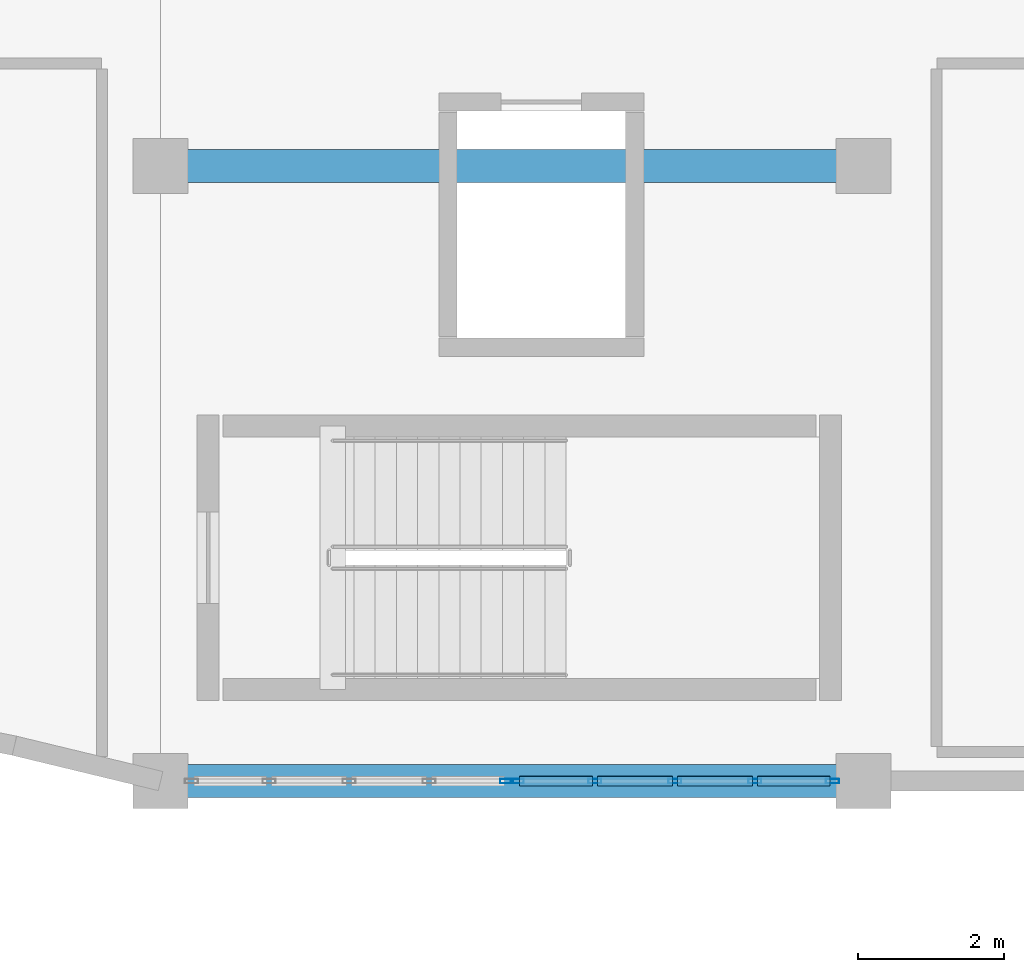
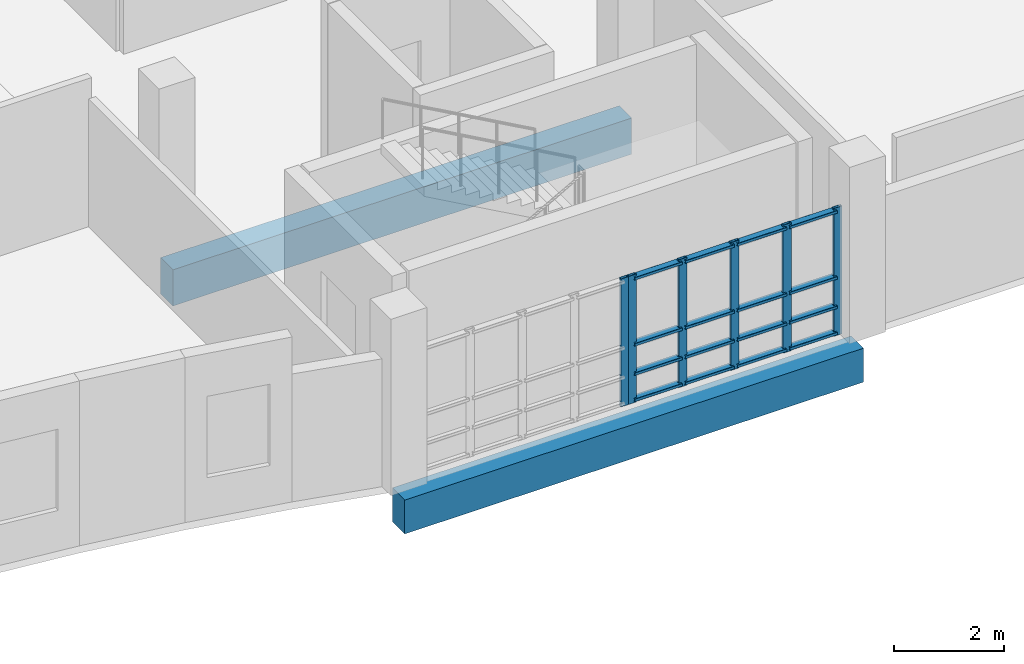
# One storey, part 120 of 188: 22 members, 2 beams, 2 elements without a shape of their own.
"""IFC4 building model written with IfcOpenShell, lengths in metres."""

from ifc_helpers import new_model, si_unit, direction, frame, origin, origin_2d, place, context, subcontext, project, spatial, rectangle, hollow_rectangle, extrude, material, layer, layer_set, material_profile, profile_set, type_object, element, aggregate, save


model = new_model("IFC4")

# Units and contexts
model_context = context("Model", 3, precision=1e-05, world=origin(), true_north=direction((0.0, 1.0)))
body_context = subcontext(model_context, "Body", "Model", "MODEL_VIEW")
ifc_project = project(units=[si_unit("LENGTHUNIT", "METRE"), si_unit("AREAUNIT", "SQUARE_METRE"), si_unit("VOLUMEUNIT", "CUBIC_METRE"), si_unit("PLANEANGLEUNIT", "RADIAN"), si_unit("MASSUNIT", "GRAM", prefix="KILO")], contexts=[model_context])

# Site, building, storey
site_placement = place(None, origin())
site = spatial("IfcSite", under=ifc_project, at=site_placement, CompositionType="ELEMENT")
building_placement = place(site_placement, origin())
building = spatial("IfcBuilding", under=site, at=building_placement, Name="Kisaragi Civic Commons", CompositionType="ELEMENT")
storey_placement = place(building_placement, frame((0.0, 0.0, 9.60009765625)))
storey = spatial("IfcBuildingStorey", under=building, at=storey_placement, Name="L02", CompositionType="ELEMENT", Elevation=9.60009765625)

# Curtain wall, members
ifc_material_1 = material(Name="Thermally broken anodized aluminium and low-E double glazing", Category="aluminium")
ifc_layer = layer(ifc_material_1, 0.179931640625, Name="Thermally broken anodized aluminium and low-E double glazing", Category="aluminium")
ifc_layer_set = layer_set([ifc_layer], Name="Thermally broken anodized aluminium and low-E double glazing")
curtain_wall_type = type_object("IfcCurtainWallType", Name="CW-01", PredefinedType="NOTDEFINED", material=ifc_layer_set)
curtain_wall_1_placement = place(storey_placement, origin())
curtain_wall_1 = element("IfcCurtainWall", 1, at=curtain_wall_1_placement, inside=storey, type_object=curtain_wall_type, Name="L02 curtain wall CW-01 CW-V4-L02-093", PredefinedType="NOTDEFINED")
ifc_material_profile_1 = material_profile(ifc_material_1, hollow_rectangle(XDim=0.06494140625, YDim=0.179931640625, WallThickness=0.00439453125, InnerFilletRadius=0.00439453125, OuterFilletRadius=0.009033203125, at=origin_2d()), Name="CWM-65x180x4.5", Category="aluminium")
ifc_profile_set_1 = profile_set([ifc_material_profile_1], Name="Thermally broken anodized aluminium and low-E double glazing")
member_type_1 = type_object("IfcMemberType", Name="CWM-02", PredefinedType="MULLION", material=ifc_profile_set_1)
member_1_placement = place(storey_placement, frame((132.777587890625, 96.0, 0.0), z_axis=(0.0, 0.0, 1.0), x_axis=(0.0, -1.0, 0.0)))
member_1 = element("IfcMember", 2, at=member_1_placement, type_object=member_type_1, Name="CW-01 mullion 1", PredefinedType="MULLION", context=body_context, shape_type="SweptSolid", body=[
    extrude(hollow_rectangle(XDim=0.06494140625, YDim=0.179931640625, WallThickness=0.00439453125, InnerFilletRadius=0.00439453125, OuterFilletRadius=0.009033203125, at=origin_2d()), origin(), (0.0, 0.0, 1.0), 2.829833984375),
])
member_2_placement = place(storey_placement, frame((131.717529296875, 96.0, 0.0), z_axis=(0.0, 0.0, 1.0), x_axis=(0.0, -1.0, 0.0)))
member_2 = element("IfcMember", 3, at=member_2_placement, type_object=member_type_1, Name="CW-01 mullion 2", PredefinedType="MULLION", context=body_context, shape_type="SweptSolid", body=[
    extrude(hollow_rectangle(XDim=0.06494140625, YDim=0.179931640625, WallThickness=0.00439453125, InnerFilletRadius=0.00439453125, OuterFilletRadius=0.009033203125, at=origin_2d()), origin(), (0.0, 0.0, 1.0), 2.829833984375),
])
member_3_placement = place(storey_placement, frame((130.625, 96.0, 0.0), z_axis=(0.0, 0.0, 1.0), x_axis=(0.0, -1.0, 0.0)))
member_3 = element("IfcMember", 4, at=member_3_placement, type_object=member_type_1, Name="CW-01 mullion 3", PredefinedType="MULLION", context=body_context, shape_type="SweptSolid", body=[
    extrude(hollow_rectangle(XDim=0.06494140625, YDim=0.179931640625, WallThickness=0.00439453125, InnerFilletRadius=0.00439453125, OuterFilletRadius=0.009033203125, at=origin_2d()), origin(), (0.0, 0.0, 1.0), 2.829833984375),
])
member_4_placement = place(storey_placement, frame((129.532470703125, 96.0, 0.0), z_axis=(0.0, 0.0, 1.0), x_axis=(0.0, -1.0, 0.0)))
member_4 = element("IfcMember", 5, at=member_4_placement, type_object=member_type_1, Name="CW-01 mullion 4", PredefinedType="MULLION", context=body_context, shape_type="SweptSolid", body=[
    extrude(hollow_rectangle(XDim=0.06494140625, YDim=0.179931640625, WallThickness=0.00439453125, InnerFilletRadius=0.00439453125, OuterFilletRadius=0.009033203125, at=origin_2d()), origin(), (0.0, 0.0, 1.0), 2.829833984375),
])
member_5_placement = place(storey_placement, frame((128.472412109375, 96.0, 0.0), z_axis=(0.0, 0.0, 1.0), x_axis=(0.0, -1.0, 0.0)))
member_5 = element("IfcMember", 6, at=member_5_placement, type_object=member_type_1, Name="CW-01 mullion 5", PredefinedType="MULLION", context=body_context, shape_type="SweptSolid", body=[
    extrude(hollow_rectangle(XDim=0.06494140625, YDim=0.179931640625, WallThickness=0.00439453125, InnerFilletRadius=0.00439453125, OuterFilletRadius=0.009033203125, at=origin_2d()), origin(), (0.0, 0.0, 1.0), 2.829833984375),
])

# Curtain wall, member
curtain_wall_2_placement = place(storey_placement, origin())
curtain_wall_2 = element("IfcCurtainWall", 7, at=curtain_wall_2_placement, inside=storey, type_object=curtain_wall_type, Name="L02 curtain wall CW-01 CW-V4-L02-094", PredefinedType="NOTDEFINED")
member_6_placement = place(storey_placement, frame((128.327392578125, 96.0, 0.0), z_axis=(0.0, 0.0, 1.0), x_axis=(0.0, -1.0, 0.0)))
member_6 = element("IfcMember", 8, at=member_6_placement, type_object=member_type_1, Name="CW-01 mullion 1", PredefinedType="MULLION", context=body_context, shape_type="SweptSolid", body=[
    extrude(hollow_rectangle(XDim=0.06494140625, YDim=0.179931640625, WallThickness=0.00439453125, InnerFilletRadius=0.00439453125, OuterFilletRadius=0.009033203125, at=origin_2d()), origin(), (0.0, 0.0, 1.0), 2.829833984375),
])
aggregate(curtain_wall_2, [member_6])

# Member
ifc_material_profile_2 = material_profile(ifc_material_1, hollow_rectangle(XDim=0.139892578125, YDim=0.06494140625, WallThickness=0.00439453125, InnerFilletRadius=0.00439453125, OuterFilletRadius=0.009033203125, at=origin_2d()), Name="CWT-65x140x4.5", Category="aluminium")
ifc_profile_set_2 = profile_set([ifc_material_profile_2], Name="Thermally broken anodized aluminium and low-E double glazing")
member_type_2 = type_object("IfcMemberType", Name="CWT-02", PredefinedType="USERDEFINED", material=ifc_profile_set_2)
member_7_placement = place(storey_placement, frame((132.7451171875, 96.0, 0.06982421875), z_axis=(-1.0, 0.0, 0.0), x_axis=(0.0, -1.0, 0.0)))
member_7 = element("IfcMember", 9, at=member_7_placement, type_object=member_type_2, Name="CW-01 transom 1.1", ObjectType="TRANSOM", PredefinedType="USERDEFINED", context=body_context, shape_type="SweptSolid", body=[
    extrude(hollow_rectangle(XDim=0.139892578125, YDim=0.06494140625, WallThickness=0.00439453125, InnerFilletRadius=0.00439453125, OuterFilletRadius=0.009033203125, at=origin_2d()), origin(), (0.0, 0.0, 1.0), 0.9951171875),
])

member_8_placement = place(storey_placement, frame((132.7451171875, 96.0, 0.64990234375), z_axis=(-1.0, 0.0, 0.0), x_axis=(0.0, -1.0, 0.0)))
member_8 = element("IfcMember", 10, at=member_8_placement, type_object=member_type_2, Name="CW-01 transom 1.2", ObjectType="TRANSOM", PredefinedType="USERDEFINED", context=body_context, shape_type="SweptSolid", body=[
    extrude(hollow_rectangle(XDim=0.139892578125, YDim=0.06494140625, WallThickness=0.00439453125, InnerFilletRadius=0.00439453125, OuterFilletRadius=0.009033203125, at=origin_2d()), origin(), (0.0, 0.0, 1.0), 0.9951171875),
])

member_9_placement = place(storey_placement, frame((132.7451171875, 96.0, 1.2998046875), z_axis=(-1.0, 0.0, 0.0), x_axis=(0.0, -1.0, 0.0)))
member_9 = element("IfcMember", 11, at=member_9_placement, type_object=member_type_2, Name="CW-01 transom 1.3", ObjectType="TRANSOM", PredefinedType="USERDEFINED", context=body_context, shape_type="SweptSolid", body=[
    extrude(hollow_rectangle(XDim=0.139892578125, YDim=0.06494140625, WallThickness=0.00439453125, InnerFilletRadius=0.00439453125, OuterFilletRadius=0.009033203125, at=origin_2d()), origin(), (0.0, 0.0, 1.0), 0.9951171875),
])

member_10_placement = place(storey_placement, frame((132.7451171875, 96.0, 2.760009765625), z_axis=(-1.0, 0.0, 0.0), x_axis=(0.0, -1.0, 0.0)))
member_10 = element("IfcMember", 12, at=member_10_placement, type_object=member_type_2, Name="CW-01 transom 1.4", ObjectType="TRANSOM", PredefinedType="USERDEFINED", context=body_context, shape_type="SweptSolid", body=[
    extrude(hollow_rectangle(XDim=0.139892578125, YDim=0.06494140625, WallThickness=0.00439453125, InnerFilletRadius=0.00439453125, OuterFilletRadius=0.009033203125, at=origin_2d()), origin(), (0.0, 0.0, 1.0), 0.9951171875),
])

member_11_placement = place(storey_placement, frame((131.68505859375, 96.0, 0.06982421875), z_axis=(-1.0, 0.0, 0.0), x_axis=(0.0, -1.0, 0.0)))
member_11 = element("IfcMember", 13, at=member_11_placement, type_object=member_type_2, Name="CW-01 transom 2.1", ObjectType="TRANSOM", PredefinedType="USERDEFINED", context=body_context, shape_type="SweptSolid", body=[
    extrude(hollow_rectangle(XDim=0.139892578125, YDim=0.06494140625, WallThickness=0.00439453125, InnerFilletRadius=0.00439453125, OuterFilletRadius=0.009033203125, at=origin_2d()), origin(), (0.0, 0.0, 1.0), 1.027587890625),
])

member_12_placement = place(storey_placement, frame((131.68505859375, 96.0, 0.64990234375), z_axis=(-1.0, 0.0, 0.0), x_axis=(0.0, -1.0, 0.0)))
member_12 = element("IfcMember", 14, at=member_12_placement, type_object=member_type_2, Name="CW-01 transom 2.2", ObjectType="TRANSOM", PredefinedType="USERDEFINED", context=body_context, shape_type="SweptSolid", body=[
    extrude(hollow_rectangle(XDim=0.139892578125, YDim=0.06494140625, WallThickness=0.00439453125, InnerFilletRadius=0.00439453125, OuterFilletRadius=0.009033203125, at=origin_2d()), origin(), (0.0, 0.0, 1.0), 1.027587890625),
])

member_13_placement = place(storey_placement, frame((131.68505859375, 96.0, 1.2998046875), z_axis=(-1.0, 0.0, 0.0), x_axis=(0.0, -1.0, 0.0)))
member_13 = element("IfcMember", 15, at=member_13_placement, type_object=member_type_2, Name="CW-01 transom 2.3", ObjectType="TRANSOM", PredefinedType="USERDEFINED", context=body_context, shape_type="SweptSolid", body=[
    extrude(hollow_rectangle(XDim=0.139892578125, YDim=0.06494140625, WallThickness=0.00439453125, InnerFilletRadius=0.00439453125, OuterFilletRadius=0.009033203125, at=origin_2d()), origin(), (0.0, 0.0, 1.0), 1.027587890625),
])

member_14_placement = place(storey_placement, frame((131.68505859375, 96.0, 2.760009765625), z_axis=(-1.0, 0.0, 0.0), x_axis=(0.0, -1.0, 0.0)))
member_14 = element("IfcMember", 16, at=member_14_placement, type_object=member_type_2, Name="CW-01 transom 2.4", ObjectType="TRANSOM", PredefinedType="USERDEFINED", context=body_context, shape_type="SweptSolid", body=[
    extrude(hollow_rectangle(XDim=0.139892578125, YDim=0.06494140625, WallThickness=0.00439453125, InnerFilletRadius=0.00439453125, OuterFilletRadius=0.009033203125, at=origin_2d()), origin(), (0.0, 0.0, 1.0), 1.027587890625),
])

member_15_placement = place(storey_placement, frame((130.592529296875, 96.0, 0.06982421875), z_axis=(-1.0, 0.0, 0.0), x_axis=(0.0, -1.0, 0.0)))
member_15 = element("IfcMember", 17, at=member_15_placement, type_object=member_type_2, Name="CW-01 transom 3.1", ObjectType="TRANSOM", PredefinedType="USERDEFINED", context=body_context, shape_type="SweptSolid", body=[
    extrude(hollow_rectangle(XDim=0.139892578125, YDim=0.06494140625, WallThickness=0.00439453125, InnerFilletRadius=0.00439453125, OuterFilletRadius=0.009033203125, at=origin_2d()), origin(), (0.0, 0.0, 1.0), 1.027587890625),
])

member_16_placement = place(storey_placement, frame((130.592529296875, 96.0, 0.64990234375), z_axis=(-1.0, 0.0, 0.0), x_axis=(0.0, -1.0, 0.0)))
member_16 = element("IfcMember", 18, at=member_16_placement, type_object=member_type_2, Name="CW-01 transom 3.2", ObjectType="TRANSOM", PredefinedType="USERDEFINED", context=body_context, shape_type="SweptSolid", body=[
    extrude(hollow_rectangle(XDim=0.139892578125, YDim=0.06494140625, WallThickness=0.00439453125, InnerFilletRadius=0.00439453125, OuterFilletRadius=0.009033203125, at=origin_2d()), origin(), (0.0, 0.0, 1.0), 1.027587890625),
])

member_17_placement = place(storey_placement, frame((130.592529296875, 96.0, 1.2998046875), z_axis=(-1.0, 0.0, 0.0), x_axis=(0.0, -1.0, 0.0)))
member_17 = element("IfcMember", 19, at=member_17_placement, type_object=member_type_2, Name="CW-01 transom 3.3", ObjectType="TRANSOM", PredefinedType="USERDEFINED", context=body_context, shape_type="SweptSolid", body=[
    extrude(hollow_rectangle(XDim=0.139892578125, YDim=0.06494140625, WallThickness=0.00439453125, InnerFilletRadius=0.00439453125, OuterFilletRadius=0.009033203125, at=origin_2d()), origin(), (0.0, 0.0, 1.0), 1.027587890625),
])

member_18_placement = place(storey_placement, frame((130.592529296875, 96.0, 2.760009765625), z_axis=(-1.0, 0.0, 0.0), x_axis=(0.0, -1.0, 0.0)))
member_18 = element("IfcMember", 20, at=member_18_placement, type_object=member_type_2, Name="CW-01 transom 3.4", ObjectType="TRANSOM", PredefinedType="USERDEFINED", context=body_context, shape_type="SweptSolid", body=[
    extrude(hollow_rectangle(XDim=0.139892578125, YDim=0.06494140625, WallThickness=0.00439453125, InnerFilletRadius=0.00439453125, OuterFilletRadius=0.009033203125, at=origin_2d()), origin(), (0.0, 0.0, 1.0), 1.027587890625),
])

member_19_placement = place(storey_placement, frame((129.5, 96.0, 0.06982421875), z_axis=(-1.0, 0.0, 0.0), x_axis=(0.0, -1.0, 0.0)))
member_19 = element("IfcMember", 21, at=member_19_placement, type_object=member_type_2, Name="CW-01 transom 4.1", ObjectType="TRANSOM", PredefinedType="USERDEFINED", context=body_context, shape_type="SweptSolid", body=[
    extrude(hollow_rectangle(XDim=0.139892578125, YDim=0.06494140625, WallThickness=0.00439453125, InnerFilletRadius=0.00439453125, OuterFilletRadius=0.009033203125, at=origin_2d()), origin(), (0.0, 0.0, 1.0), 0.9951171875),
])

member_20_placement = place(storey_placement, frame((129.5, 96.0, 0.64990234375), z_axis=(-1.0, 0.0, 0.0), x_axis=(0.0, -1.0, 0.0)))
member_20 = element("IfcMember", 22, at=member_20_placement, type_object=member_type_2, Name="CW-01 transom 4.2", ObjectType="TRANSOM", PredefinedType="USERDEFINED", context=body_context, shape_type="SweptSolid", body=[
    extrude(hollow_rectangle(XDim=0.139892578125, YDim=0.06494140625, WallThickness=0.00439453125, InnerFilletRadius=0.00439453125, OuterFilletRadius=0.009033203125, at=origin_2d()), origin(), (0.0, 0.0, 1.0), 0.9951171875),
])

member_21_placement = place(storey_placement, frame((129.5, 96.0, 1.2998046875), z_axis=(-1.0, 0.0, 0.0), x_axis=(0.0, -1.0, 0.0)))
member_21 = element("IfcMember", 23, at=member_21_placement, type_object=member_type_2, Name="CW-01 transom 4.3", ObjectType="TRANSOM", PredefinedType="USERDEFINED", context=body_context, shape_type="SweptSolid", body=[
    extrude(hollow_rectangle(XDim=0.139892578125, YDim=0.06494140625, WallThickness=0.00439453125, InnerFilletRadius=0.00439453125, OuterFilletRadius=0.009033203125, at=origin_2d()), origin(), (0.0, 0.0, 1.0), 0.9951171875),
])

member_22_placement = place(storey_placement, frame((129.5, 96.0, 2.760009765625), z_axis=(-1.0, 0.0, 0.0), x_axis=(0.0, -1.0, 0.0)))
member_22 = element("IfcMember", 24, at=member_22_placement, type_object=member_type_2, Name="CW-01 transom 4.4", ObjectType="TRANSOM", PredefinedType="USERDEFINED", context=body_context, shape_type="SweptSolid", body=[
    extrude(hollow_rectangle(XDim=0.139892578125, YDim=0.06494140625, WallThickness=0.00439453125, InnerFilletRadius=0.00439453125, OuterFilletRadius=0.009033203125, at=origin_2d()), origin(), (0.0, 0.0, 1.0), 0.9951171875),
])

aggregate(curtain_wall_1, [member_1, member_2, member_3, member_4, member_5, member_7, member_8, member_9, member_10, member_11, member_12, member_13, member_14, member_15, member_16, member_17, member_18, member_19, member_20, member_21, member_22])

# Beams
ifc_material_2 = material(Name="Concrete Fc30", Category="concrete")
ifc_material_profile_3 = material_profile(ifc_material_2, rectangle(XDim=0.449951171875, YDim=0.800048828125, at=origin_2d()), Name="RC-450x800", Category="concrete")
ifc_profile_set_3 = profile_set([ifc_material_profile_3], Name="Concrete Fc30")
beam_type_1 = type_object("IfcBeamType", Name="G-03", PredefinedType="BEAM", material=ifc_profile_set_3)
beam_1_placement = place(storey_placement, frame((123.60009765625, 104.39990234375, -0.72021484375), z_axis=(1.0, 0.0, 0.0), x_axis=(0.0, 1.0, 0.0)))
element("IfcBeam", 25, at=beam_1_placement, inside=storey, type_object=beam_type_1, Name="L02 girder G-03 303", PredefinedType="BEAM", context=body_context, shape_type="SweptSolid", body=[
    extrude(rectangle(XDim=0.449951171875, YDim=0.800048828125, at=origin_2d()), origin(), (0.0, 0.0, 1.0), 9.599853515625),
])
ifc_material_profile_4 = material_profile(ifc_material_2, rectangle(XDim=0.449951171875, YDim=0.75, at=origin_2d()), Name="RC-450x750", Category="concrete")
ifc_profile_set_4 = profile_set([ifc_material_profile_4], Name="Concrete Fc30")
beam_type_2 = type_object("IfcBeamType", Name="SPB-04", PredefinedType="SPANDREL", material=ifc_profile_set_4)
beam_2_placement = place(storey_placement, frame((123.60009765625, 96.0, -0.695068359375), z_axis=(1.0, 0.0, 0.0), x_axis=(0.0, 1.0, 0.0)))
element("IfcBeam", 26, at=beam_2_placement, inside=storey, type_object=beam_type_2, Name="L02 girder SPB-04 298", PredefinedType="SPANDREL", context=body_context, shape_type="SweptSolid", body=[
    extrude(rectangle(XDim=0.449951171875, YDim=0.75, at=origin_2d()), origin(), (0.0, 0.0, 1.0), 9.599853515625),
])

save(model, "model.ifc")
